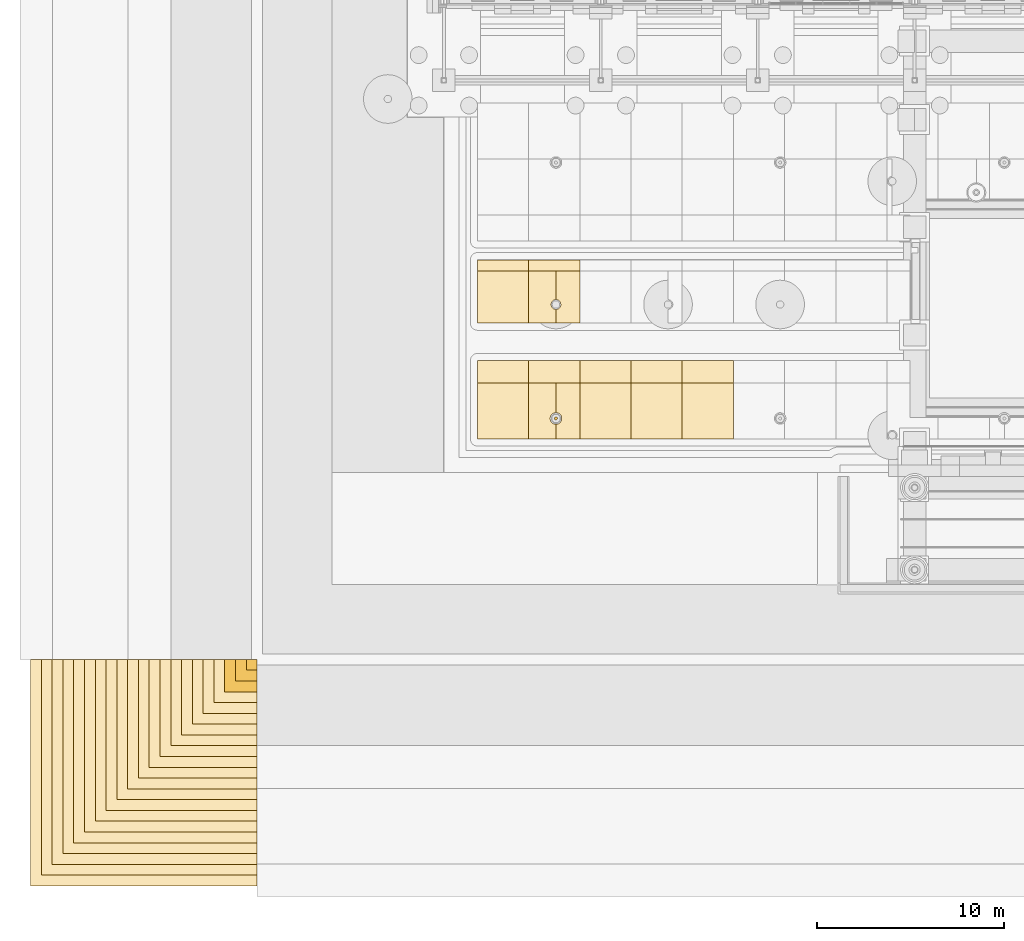
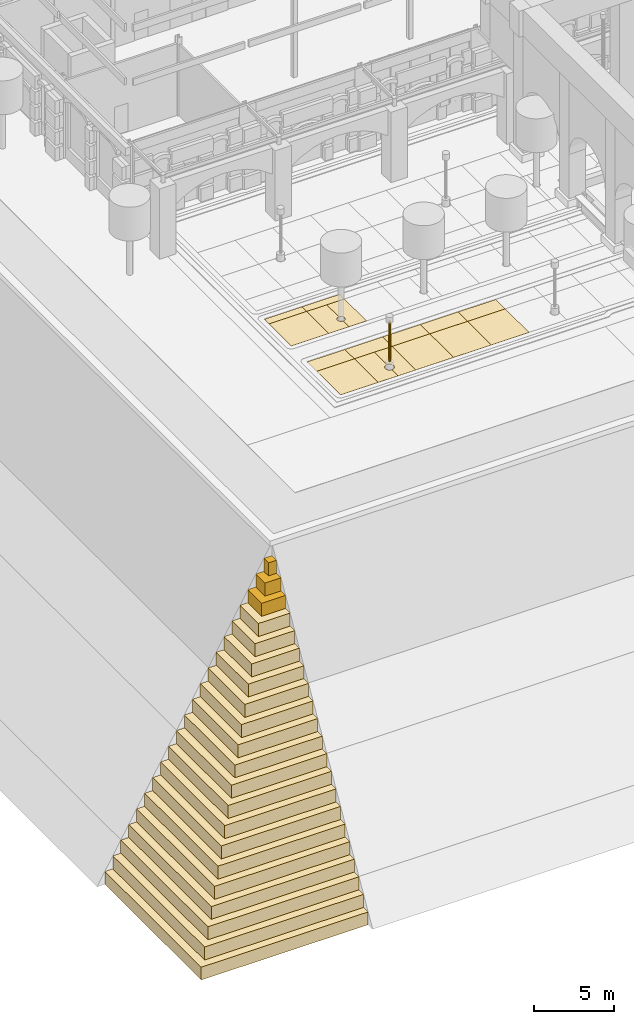
# One storey, part 108 of 222: 38 coverings.
"""IFC4 building model written with IfcOpenShell, lengths in metres."""

import ifcopenshell
import ifcopenshell.guid

model = None  # the IFC model being written
_history = None  # IfcOwnerHistory: only IFC2X3 demands one
_inside = {}  # id of a spatial element -> (the spatial element, [elements in it])
_under = {}  # id of a project, library or spatial element -> (it, [spatial elements below it])
_declared = {}  # id of a project -> (the project, [libraries it declares])
_typed = {}  # id of a type object -> (the type object, [elements of that type])
_made_of = {}  # id of a material, layer set ... -> (it, [elements and type objects made of it])


def new_model(schema):
    """Start an empty IFC model of exactly this schema.

    Asked for "IFC4X3", IfcOpenShell would pick the latest addendum, in which some entities
    have other attributes; the version numbers below select the first issue.
    IFC2X3 requires an IfcOwnerHistory on every rooted entity: one is made here for all.
    """
    global model, _history
    if schema == "IFC4X3":
        model = ifcopenshell.file(schema_version=(4, 3, 0, 0))
    else:
        model = ifcopenshell.file(schema=schema)
    _inside.clear()
    _under.clear()
    _declared.clear()
    _typed.clear()
    _made_of.clear()
    _history = None
    if model.schema == "IFC2X3":
        org = make("IfcOrganization", Name="unknown")
        user = make(
            "IfcPersonAndOrganization",
            ThePerson=make("IfcPerson", FamilyName="unknown"),
            TheOrganization=org,
        )
        app = make(
            "IfcApplication",
            ApplicationDeveloper=org,
            Version="unknown",
            ApplicationFullName="unknown",
            ApplicationIdentifier="unknown",
        )
        _history = make(
            "IfcOwnerHistory",
            OwningUser=user,
            OwningApplication=app,
            ChangeAction="ADDED",
            CreationDate=0,
        )
    return model


def make(cls, **values):
    """One entity of the class cls with the attributes given. An attribute that is None is left unset."""
    return model.create_entity(
        cls, **{name: value for name, value in values.items() if value is not None}
    )


def rooted(cls, **values):
    """An entity with a GlobalId (a new one), such as an element, a storey or a relation."""
    return make(cls, GlobalId=ifcopenshell.guid.new(), OwnerHistory=_history, **values)


def si_unit(unit_type, name, prefix=None):
    """IfcSIUnit, for example si_unit("LENGTHUNIT", "METRE", prefix="MILLI")."""
    return make("IfcSIUnit", UnitType=unit_type, Prefix=prefix, Name=name)


def assignment(units):
    """IfcUnitAssignment: the units of a project."""
    return None if units is None else make("IfcUnitAssignment", Units=units)


def point(xyz):
    """IfcCartesianPoint."""
    return None if xyz is None else make("IfcCartesianPoint", Coordinates=xyz)


def direction(xyz):
    """IfcDirection."""
    return None if xyz is None else make("IfcDirection", DirectionRatios=xyz)


def frame(location, z_axis=None, x_axis=None):
    """IfcAxis2Placement3D, a coordinate frame: its origin and axes. An axis left out is left unset."""
    return make(
        "IfcAxis2Placement3D",
        Location=point(location),
        Axis=direction(z_axis),
        RefDirection=direction(x_axis),
    )


def frame_2d(location, x_axis=None):
    """IfcAxis2Placement2D, a coordinate frame in the plane: its origin and x axis."""
    return make(
        "IfcAxis2Placement2D", Location=point(location), RefDirection=direction(x_axis)
    )


def origin():
    """The frame at (0, 0, 0) with its axes left unset."""
    return frame((0.0, 0.0, 0.0))


def origin_2d():
    """The frame at (0, 0) in the plane with its x axis left unset."""
    return frame_2d((0.0, 0.0))


def place(relative_to, where):
    """IfcLocalPlacement: puts the frame where relative to a parent placement (None: the world)."""
    return make(
        "IfcLocalPlacement", PlacementRelTo=relative_to, RelativePlacement=where
    )


def context(
    kind, dimensions, precision=None, world=None, true_north=None, identifier=None
):
    """IfcGeometricRepresentationContext, for example the 3D "Model" context."""
    return make(
        "IfcGeometricRepresentationContext",
        ContextIdentifier=identifier,
        ContextType=kind,
        CoordinateSpaceDimension=dimensions,
        Precision=precision,
        WorldCoordinateSystem=world,
        TrueNorth=true_north,
    )


def subcontext(parent, identifier, kind, view, scale=None):
    """IfcGeometricRepresentationSubContext, for example "Body" below "Model"."""
    return make(
        "IfcGeometricRepresentationSubContext",
        ContextIdentifier=identifier,
        ContextType=kind,
        ParentContext=parent,
        TargetScale=scale,
        TargetView=view,
    )


def project(units=None, contexts=None):
    """IfcProject with its units and contexts."""
    return rooted(
        "IfcProject",
        Name="project",
        RepresentationContexts=contexts,
        UnitsInContext=assignment(units),
    )


def spatial(cls, under=None, at=None, **own):
    """A site, building, storey or space (cls), placed at a placement, below another one or the project."""
    s = rooted(cls, ObjectPlacement=at, **own)
    if under is not None:
        _under.setdefault(under.id(), (under, []))[1].append(s)
    return s


def polyline(points):
    """IfcPolyline through the points."""
    return make("IfcPolyline", Points=[point(p) for p in points])


def profile(cls, at=None, kind="AREA", **sizes):
    """A parametric profile (cls). Its sizes go by their IFC names, for example OverallWidth=200.0."""
    return make(cls, ProfileType=kind, Position=at, **sizes)


def rectangle(**sizes):
    """IfcRectangleProfileDef."""
    return profile("IfcRectangleProfileDef", **sizes)


def circle(**sizes):
    """IfcCircleProfileDef."""
    return profile("IfcCircleProfileDef", **sizes)


def outline(outer, holes=None, kind="AREA"):
    """IfcArbitraryClosedProfileDef: a profile drawn as a closed curve; with holes, ...WithVoids."""
    if holes is None:
        return make("IfcArbitraryClosedProfileDef", ProfileType=kind, OuterCurve=outer)
    return make(
        "IfcArbitraryProfileDefWithVoids",
        ProfileType=kind,
        OuterCurve=outer,
        InnerCurves=holes,
    )


def extrude(swept, where, along, depth):
    """IfcExtrudedAreaSolid: the profile swept, set in the frame where, extruded along a direction by depth."""
    return make(
        "IfcExtrudedAreaSolid",
        SweptArea=swept,
        Position=where,
        ExtrudedDirection=direction(along),
        Depth=depth,
    )


def shape(context_of_items, identifier, shape_type, items):
    """IfcShapeRepresentation: the items that make up one representation, for example the "Body"."""
    return make(
        "IfcShapeRepresentation",
        ContextOfItems=context_of_items,
        RepresentationIdentifier=identifier,
        RepresentationType=shape_type,
        Items=items,
    )


def material(Name=None, Category=None):
    """IfcMaterial."""
    return make("IfcMaterial", Name=Name, Category=Category)


def layer(
    of_material, thickness, ventilated=None, Name=None, Category=None, Priority=None
):
    """IfcMaterialLayer: one layer of a wall or slab, of a material (None: an air gap)."""
    return make(
        "IfcMaterialLayer",
        Material=of_material,
        LayerThickness=thickness,
        IsVentilated=ventilated,
        Name=Name,
        Category=Category,
        Priority=Priority,
    )


def layer_set(layers, Name=None):
    """IfcMaterialLayerSet."""
    return make("IfcMaterialLayerSet", MaterialLayers=layers, LayerSetName=Name)


def made_of(thing, what):
    """Note that an element or type object is made of a material, layer set ...; save() writes the relation."""
    if what is not None:
        _made_of.setdefault(what.id(), (what, []))[1].append(thing)
    return thing


def type_object(cls, material=None, **own):
    """A type object (cls), such as IfcWallType, which elements share."""
    return made_of(rooted(cls, **own), material)


def element(
    cls,
    number,
    at=None,
    inside=None,
    cuts=None,
    type_object=None,
    material=None,
    context=None,
    identifier="Body",
    shape_type=None,
    held_by="IfcProductDefinitionShape",
    body=None,
    shapes=None,
    **own,
):
    """One element of the class cls, such as IfcWall. Its Tag is "e" and its number.

    at: its placement. inside: the storey or other place that contains it. cuts: it is an
    opening in that element (IfcRelVoidsElement). A single representation is given by context,
    identifier, shape_type and body (its items); several are given by shapes. held_by: the class
    of the entity that holds the representations. save() writes the other relations.
    """
    e = rooted(cls, Tag="e%d" % number, ObjectPlacement=at, **own)
    if body is not None:
        shapes = [shape(context, identifier, shape_type, body)]
    if shapes is not None:
        e.Representation = make(held_by, Representations=shapes)
    if inside is not None:
        _inside.setdefault(inside.id(), (inside, []))[1].append(e)
    if cuts is not None:
        rooted(
            "IfcRelVoidsElement", RelatingBuildingElement=cuts, RelatedOpeningElement=e
        )
    if type_object is not None:
        _typed.setdefault(type_object.id(), (type_object, []))[1].append(e)
    return made_of(e, material)


def aggregate(whole, parts):
    """IfcRelAggregates: a whole, such as a stair, and the parts it consists of."""
    return rooted("IfcRelAggregates", RelatingObject=whole, RelatedObjects=parts)


def save(model, path):
    """Write the relations noted so far, then the file.

    IfcRelAggregates (storeys below a building ...), IfcRelContainedInSpatialStructure (elements
    in a storey), IfcRelDefinesByType, IfcRelAssociatesMaterial and IfcRelDeclares: one each for
    every whole, place, type object, material and project.
    """
    for whole, parts in _under.values():
        aggregate(whole, parts)
    for where, things in _inside.values():
        rooted(
            "IfcRelContainedInSpatialStructure",
            RelatedElements=things,
            RelatingStructure=where,
        )
    for kind, things in _typed.values():
        rooted("IfcRelDefinesByType", RelatedObjects=things, RelatingType=kind)
    for what, things in _made_of.values():
        rooted("IfcRelAssociatesMaterial", RelatedObjects=things, RelatingMaterial=what)
    for by, libraries in _declared.values():
        rooted("IfcRelDeclares", RelatingContext=by, RelatedDefinitions=libraries)
    model.write(path)


model = new_model("IFC4")

# Units and contexts
model_context = context("Model", 3, precision=1e-05, world=origin(), true_north=direction((0.0, 1.0)))
body_context = subcontext(model_context, "Body", "Model", "MODEL_VIEW")
ifc_project = project(units=[si_unit("LENGTHUNIT", "METRE"), si_unit("AREAUNIT", "SQUARE_METRE"), si_unit("VOLUMEUNIT", "CUBIC_METRE"), si_unit("PLANEANGLEUNIT", "RADIAN"), si_unit("MASSUNIT", "GRAM", prefix="KILO")], contexts=[model_context])

# Site, building, storey
site_placement = place(None, origin())
site = spatial("IfcSite", under=ifc_project, at=site_placement, CompositionType="ELEMENT")
building_placement = place(site_placement, origin())
building = spatial("IfcBuilding", under=site, at=building_placement, Name="Sava Quay Ferry Terminal", CompositionType="ELEMENT")
storey_placement = place(building_placement, origin())
storey = spatial("IfcBuildingStorey", under=building, at=storey_placement, Name="L00", CompositionType="ELEMENT", Elevation=0.0)

# Coverings
ifc_material_1 = material(Name="Limestone Mutalj", Category="masonry")
ifc_layer_1 = layer(ifc_material_1, 0.030029296875)
ifc_layer_set_1 = layer_set([ifc_layer_1], Name="Limestone Mutalj")
covering_type_1 = type_object("IfcCoveringType", Name="Court paving tile 30", PredefinedType="FLOORING", material=ifc_layer_set_1)
covering_1_placement = place(storey_placement, origin())
element("IfcCovering", 1, at=covering_1_placement, inside=storey, type_object=covering_type_1, Name="Limestone paving tile", PredefinedType="FLOORING", context=body_context, shape_type="SweptSolid", body=[
    extrude(outline(polyline([(4.5400390625, 4.800048828125), (1.81005859375, 4.800048828125), (1.81005859375, 1.81005859375), (4.5400390625, 1.81005859375), (4.5400390625, 4.800048828125)])), origin(), (0.0, 0.0, 1.0), 0.030029296875),
])
covering_2_placement = place(storey_placement, origin())
element("IfcCovering", 2, at=covering_2_placement, inside=storey, type_object=covering_type_1, Name="Limestone paving tile", PredefinedType="FLOORING", context=body_context, shape_type="SweptSolid", body=[
    extrude(outline(polyline([(4.5400390625, 10.800048828125), (1.81005859375, 10.800048828125), (1.81005859375, 8.010009765625), (4.5400390625, 8.010009765625), (4.5400390625, 10.800048828125)])), origin(), (0.0, 0.0, 1.0), 0.030029296875),
])
covering_3_placement = place(storey_placement, origin())
element("IfcCovering", 3, at=covering_3_placement, inside=storey, type_object=covering_type_1, Name="Limestone paving tile", PredefinedType="FLOORING", context=body_context, shape_type="SweptSolid", body=[
    extrude(outline(polyline([(7.280029296875, 4.800048828125), (7.280029296875, 5.989990234375), (4.5400390625, 5.989990234375), (4.5400390625, 4.800048828125), (7.280029296875, 4.800048828125)])), origin(), (0.0, 0.0, 1.0), 0.030029296875),
])
covering_4_placement = place(storey_placement, origin())
element("IfcCovering", 4, at=covering_4_placement, inside=storey, type_object=covering_type_1, Name="Limestone paving tile", PredefinedType="FLOORING", context=body_context, shape_type="SweptSolid", body=[
    extrude(outline(polyline([(7.280029296875, 10.800048828125), (7.280029296875, 11.389892578125), (4.5400390625, 11.389892578125), (4.5400390625, 10.800048828125), (7.280029296875, 10.800048828125)])), origin(), (0.0, 0.0, 1.0), 0.030029296875),
])
covering_5_placement = place(storey_placement, origin())
element("IfcCovering", 5, at=covering_5_placement, inside=storey, type_object=covering_type_1, Name="Limestone paving tile", PredefinedType="FLOORING", context=body_context, shape_type="SweptSolid", body=[
    extrude(outline(polyline([(7.280029296875, 4.800048828125), (7.280029296875, 1.81005859375), (10.02001953125, 1.81005859375), (10.02001953125, 4.800048828125), (7.280029296875, 4.800048828125)])), origin(), (0.0, 0.0, 1.0), 0.030029296875),
])
covering_6_placement = place(storey_placement, origin())
element("IfcCovering", 6, at=covering_6_placement, inside=storey, type_object=covering_type_1, Name="Limestone paving tile", PredefinedType="FLOORING", context=body_context, shape_type="SweptSolid", body=[
    extrude(outline(polyline([(12.760009765625, 4.800048828125), (12.760009765625, 5.989990234375), (10.02001953125, 5.989990234375), (10.02001953125, 4.800048828125), (12.760009765625, 4.800048828125)])), origin(), (0.0, 0.0, 1.0), 0.030029296875),
])
covering_7_placement = place(storey_placement, origin())
element("IfcCovering", 7, at=covering_7_placement, inside=storey, type_object=covering_type_1, Name="Limestone paving tile", PredefinedType="FLOORING", context=body_context, shape_type="SweptSolid", body=[
    extrude(outline(polyline([(12.760009765625, 4.800048828125), (12.760009765625, 1.81005859375), (15.5, 1.81005859375), (15.5, 4.800048828125), (12.760009765625, 4.800048828125)])), origin(), (0.0, 0.0, 1.0), 0.030029296875),
])
ifc_material_2 = material(Name="Red sandstone Vrsac", Category="masonry")
ifc_layer_2 = layer(ifc_material_2, 0.030029296875)
ifc_layer_set_2 = layer_set([ifc_layer_2], Name="Red sandstone Vrsac")
covering_type_2 = type_object("IfcCoveringType", Name="Court paving tile sandstone 30", PredefinedType="FLOORING", material=ifc_layer_set_2)
covering_8_placement = place(storey_placement, origin())
element("IfcCovering", 8, at=covering_8_placement, inside=storey, type_object=covering_type_2, Name="Sandstone paving tile", PredefinedType="FLOORING", context=body_context, shape_type="SweptSolid", body=[
    extrude(outline(polyline([(4.5400390625, 4.800048828125), (4.5400390625, 5.989990234375), (1.81005859375, 5.989990234375), (1.81005859375, 4.800048828125), (4.5400390625, 4.800048828125)])), origin(), (0.0, 0.0, 1.0), 0.030029296875),
])
covering_9_placement = place(storey_placement, origin())
element("IfcCovering", 9, at=covering_9_placement, inside=storey, type_object=covering_type_2, Name="Sandstone paving tile", PredefinedType="FLOORING", context=body_context, shape_type="SweptSolid", body=[
    extrude(outline(polyline([(4.5400390625, 10.800048828125), (4.5400390625, 11.389892578125), (1.81005859375, 11.389892578125), (1.81005859375, 10.800048828125), (4.5400390625, 10.800048828125)])), origin(), (0.0, 0.0, 1.0), 0.030029296875),
])
covering_10_placement = place(storey_placement, origin())
element("IfcCovering", 10, at=covering_10_placement, inside=storey, type_object=covering_type_2, Name="Sandstone paving tile", PredefinedType="FLOORING", context=body_context, shape_type="SweptSolid", body=[
    extrude(outline(polyline([(6.0, 4.800048828125), (4.5400390625, 4.800048828125), (4.5400390625, 1.81005859375), (6.0, 1.81005859375), (6.0, 2.590087890625), (5.968994140625, 2.592041015625), (5.93896484375, 2.595947265625), (5.909912109375, 2.60400390625), (5.881103515625, 2.614013671875), (5.85302734375, 2.626953125), (5.826904296875, 2.64306640625), (5.802978515625, 2.660888671875), (5.780029296875, 2.680908203125), (5.760009765625, 2.7041015625), (5.741943359375, 2.72802734375), (5.72607421875, 2.75390625), (5.712890625, 2.781982421875), (5.702880859375, 2.81005859375), (5.696044921875, 2.840087890625), (5.69091796875, 2.8701171875), (5.68994140625, 2.89990234375), (5.69189453125, 2.930908203125), (5.696044921875, 2.9609375), (5.7041015625, 2.989990234375), (5.714111328125, 3.01904296875), (5.72705078125, 3.047119140625), (5.742919921875, 3.072998046875), (5.760986328125, 3.096923828125), (5.781005859375, 3.1201171875), (5.803955078125, 3.139892578125), (5.827880859375, 3.157958984375), (5.85400390625, 3.174072265625), (5.882080078125, 3.18701171875), (5.909912109375, 3.197021484375), (5.93994140625, 3.2041015625), (5.969970703125, 3.208984375), (6.0, 3.2099609375), (6.0, 4.800048828125)])), origin(), (0.0, 0.0, 1.0), 0.030029296875),
])
covering_11_placement = place(storey_placement, origin())
element("IfcCovering", 11, at=covering_11_placement, inside=storey, type_object=covering_type_2, Name="Sandstone paving tile", PredefinedType="FLOORING", context=body_context, shape_type="SweptSolid", body=[
    extrude(outline(polyline([(7.280029296875, 4.800048828125), (6.0, 4.800048828125), (6.0, 3.2099609375), (6.031005859375, 3.2080078125), (6.06103515625, 3.2041015625), (6.090087890625, 3.196044921875), (6.118896484375, 3.18603515625), (6.14697265625, 3.173095703125), (6.173095703125, 3.156982421875), (6.197021484375, 3.138916015625), (6.219970703125, 3.118896484375), (6.239990234375, 3.095947265625), (6.258056640625, 3.072021484375), (6.27392578125, 3.0458984375), (6.287109375, 3.01806640625), (6.297119140625, 2.989990234375), (6.303955078125, 2.9599609375), (6.30908203125, 2.929931640625), (6.31005859375, 2.89990234375), (6.30810546875, 2.868896484375), (6.303955078125, 2.839111328125), (6.2958984375, 2.81005859375), (6.285888671875, 2.781005859375), (6.27294921875, 2.7529296875), (6.257080078125, 2.72705078125), (6.239013671875, 2.702880859375), (6.218994140625, 2.679931640625), (6.196044921875, 2.659912109375), (6.172119140625, 2.64208984375), (6.14599609375, 2.6259765625), (6.117919921875, 2.613037109375), (6.090087890625, 2.60302734375), (6.06005859375, 2.595947265625), (6.030029296875, 2.591064453125), (6.0, 2.590087890625), (6.0, 1.81005859375), (7.280029296875, 1.81005859375), (7.280029296875, 4.800048828125)])), origin(), (0.0, 0.0, 1.0), 0.030029296875),
])
covering_12_placement = place(storey_placement, origin())
element("IfcCovering", 12, at=covering_12_placement, inside=storey, type_object=covering_type_2, Name="Sandstone paving tile", PredefinedType="FLOORING", context=body_context, shape_type="SweptSolid", body=[
    extrude(outline(polyline([(6.0, 10.800048828125), (4.5400390625, 10.800048828125), (4.5400390625, 8.010009765625), (6.0, 8.010009765625), (6.0, 8.739990234375), (5.97412109375, 8.740966796875), (5.948974609375, 8.7451171875), (5.924072265625, 8.7509765625), (5.89990234375, 8.760009765625), (5.876953125, 8.77099609375), (5.85498046875, 8.783935546875), (5.8349609375, 8.799072265625), (5.81591796875, 8.81689453125), (5.799072265625, 8.8349609375), (5.783935546875, 8.85595703125), (5.77001953125, 8.8779296875), (5.760009765625, 8.90087890625), (5.7509765625, 8.925048828125), (5.7451171875, 8.949951171875), (5.740966796875, 8.97509765625), (5.739990234375, 9.0), (5.740966796875, 9.02587890625), (5.7451171875, 9.051025390625), (5.7509765625, 9.075927734375), (5.760009765625, 9.10009765625), (5.77099609375, 9.123046875), (5.783935546875, 9.14501953125), (5.799072265625, 9.1650390625), (5.81689453125, 9.18408203125), (5.8349609375, 9.200927734375), (5.85595703125, 9.216064453125), (5.8779296875, 9.22998046875), (5.90087890625, 9.239990234375), (5.925048828125, 9.2490234375), (5.949951171875, 9.2548828125), (5.97509765625, 9.259033203125), (6.0, 9.260009765625), (6.0, 10.800048828125)])), origin(), (0.0, 0.0, 1.0), 0.030029296875),
])
covering_13_placement = place(storey_placement, origin())
element("IfcCovering", 13, at=covering_13_placement, inside=storey, type_object=covering_type_2, Name="Sandstone paving tile", PredefinedType="FLOORING", context=body_context, shape_type="SweptSolid", body=[
    extrude(outline(polyline([(7.280029296875, 10.800048828125), (6.0, 10.800048828125), (6.0, 9.260009765625), (6.02587890625, 9.259033203125), (6.051025390625, 9.2548828125), (6.075927734375, 9.2490234375), (6.10009765625, 9.239990234375), (6.123046875, 9.22900390625), (6.14501953125, 9.216064453125), (6.1650390625, 9.200927734375), (6.18408203125, 9.18310546875), (6.200927734375, 9.1650390625), (6.216064453125, 9.14404296875), (6.22998046875, 9.1220703125), (6.239990234375, 9.09912109375), (6.2490234375, 9.074951171875), (6.2548828125, 9.050048828125), (6.259033203125, 9.02490234375), (6.260009765625, 9.0), (6.259033203125, 8.97412109375), (6.2548828125, 8.948974609375), (6.2490234375, 8.924072265625), (6.239990234375, 8.89990234375), (6.22900390625, 8.876953125), (6.216064453125, 8.85498046875), (6.200927734375, 8.8349609375), (6.18310546875, 8.81591796875), (6.1650390625, 8.799072265625), (6.14404296875, 8.783935546875), (6.1220703125, 8.77001953125), (6.09912109375, 8.760009765625), (6.074951171875, 8.7509765625), (6.050048828125, 8.7451171875), (6.02490234375, 8.740966796875), (6.0, 8.739990234375), (6.0, 8.010009765625), (7.280029296875, 8.010009765625), (7.280029296875, 10.800048828125)])), origin(), (0.0, 0.0, 1.0), 0.030029296875),
])
covering_14_placement = place(storey_placement, origin())
element("IfcCovering", 14, at=covering_14_placement, inside=storey, type_object=covering_type_2, Name="Sandstone paving tile", PredefinedType="FLOORING", context=body_context, shape_type="SweptSolid", body=[
    extrude(outline(polyline([(10.02001953125, 4.800048828125), (10.02001953125, 5.989990234375), (7.280029296875, 5.989990234375), (7.280029296875, 4.800048828125), (10.02001953125, 4.800048828125)])), origin(), (0.0, 0.0, 1.0), 0.030029296875),
])
covering_15_placement = place(storey_placement, origin())
element("IfcCovering", 15, at=covering_15_placement, inside=storey, type_object=covering_type_2, Name="Sandstone paving tile", PredefinedType="FLOORING", context=body_context, shape_type="SweptSolid", body=[
    extrude(outline(polyline([(10.02001953125, 4.800048828125), (10.02001953125, 1.81005859375), (12.760009765625, 1.81005859375), (12.760009765625, 4.800048828125), (10.02001953125, 4.800048828125)])), origin(), (0.0, 0.0, 1.0), 0.030029296875),
])
covering_16_placement = place(storey_placement, origin())
element("IfcCovering", 16, at=covering_16_placement, inside=storey, type_object=covering_type_2, Name="Sandstone paving tile", PredefinedType="FLOORING", context=body_context, shape_type="SweptSolid", body=[
    extrude(outline(polyline([(15.5, 4.800048828125), (15.5, 5.989990234375), (12.760009765625, 5.989990234375), (12.760009765625, 4.800048828125), (15.5, 4.800048828125)])), origin(), (0.0, 0.0, 1.0), 0.030029296875),
])
ifc_material_3 = material(Name="Steel S355", Category="steel")
ifc_layer_3 = layer(ifc_material_3, 0.159912109375)
ifc_layer_set_3 = layer_set([ifc_layer_3], Name="Steel S355")
covering_type_3 = type_object("IfcCoveringType", Name="Lamp standard column 160", PredefinedType="CLADDING", material=ifc_layer_set_3)
covering_17_placement = place(storey_placement, frame((6.0, 2.89990234375, 3.550048828125), z_axis=(0.0, 0.0, -1.0), x_axis=(1.0, 0.0, 0.0)))
element("IfcCovering", 17, at=covering_17_placement, inside=storey, type_object=covering_type_3, Name="Lamp standard column", PredefinedType="CLADDING", context=body_context, shape_type="SweptSolid", body=[
    extrude(circle(Radius=0.080078125, at=origin_2d()), origin(), (0.0, 0.0, 1.0), 3.050048828125),
])
ifc_material_4 = material(Name="Compacted gravel fill")
ifc_layer_4 = layer(ifc_material_4, 7.97998046875)
ifc_layer_set_4 = layer_set([ifc_layer_4], Name="Compacted gravel fill")
covering_type_4 = type_object("IfcCoveringType", Name="Made ground at quay level", PredefinedType="CLADDING", material=ifc_layer_set_4)
covering_18_placement = place(storey_placement, frame((-10.288818359375, -10.288818359375, -2.02001953125), z_axis=(0.0, 0.0, 1.0), x_axis=(1.0, 0.0, 0.0)))
element("IfcCovering", 18, at=covering_18_placement, inside=storey, type_object=covering_type_4, Name="Made ground at quay level", PredefinedType="CLADDING", context=body_context, shape_type="SweptSolid", body=[
    extrude(rectangle(XDim=0.577392578125, YDim=0.577392578125, at=origin_2d()), origin(), (0.0, 0.0, 1.0), 1.0),
])
covering_19_placement = place(storey_placement, frame((-10.577392578125, -10.577392578125, -3.02001953125), z_axis=(0.0, 0.0, 1.0), x_axis=(1.0, 0.0, 0.0)))
element("IfcCovering", 19, at=covering_19_placement, inside=storey, type_object=covering_type_4, Name="Made ground at quay level", PredefinedType="CLADDING", context=body_context, shape_type="SweptSolid", body=[
    extrude(rectangle(XDim=1.15478515625, YDim=1.15478515625, at=origin_2d()), origin(), (0.0, 0.0, 1.0), 1.0),
])
covering_20_placement = place(storey_placement, frame((-10.865966796875, -10.865966796875, -4.02001953125), z_axis=(0.0, 0.0, 1.0), x_axis=(1.0, 0.0, 0.0)))
element("IfcCovering", 20, at=covering_20_placement, inside=storey, type_object=covering_type_4, Name="Made ground at quay level", PredefinedType="CLADDING", context=body_context, shape_type="SweptSolid", body=[
    extrude(rectangle(XDim=1.732177734375, YDim=1.732177734375, at=origin_2d()), origin(), (0.0, 0.0, 1.0), 1.0),
])
covering_21_placement = place(storey_placement, frame((-11.15478515625, -11.15478515625, -5.02001953125), z_axis=(0.0, 0.0, 1.0), x_axis=(1.0, 0.0, 0.0)))
element("IfcCovering", 21, at=covering_21_placement, inside=storey, type_object=covering_type_4, Name="Made ground at quay level", PredefinedType="CLADDING", context=body_context, shape_type="SweptSolid", body=[
    extrude(rectangle(XDim=2.309326171875, YDim=2.309326171875, at=origin_2d()), origin(), (0.0, 0.0, 1.0), 1.0),
])
covering_22_placement = place(storey_placement, frame((-11.443359375, -11.443359375, -6.02001953125), z_axis=(0.0, 0.0, 1.0), x_axis=(1.0, 0.0, 0.0)))
element("IfcCovering", 22, at=covering_22_placement, inside=storey, type_object=covering_type_4, Name="Made ground at quay level", PredefinedType="CLADDING", context=body_context, shape_type="SweptSolid", body=[
    extrude(rectangle(XDim=2.88671875, YDim=2.88671875, at=origin_2d()), origin(), (0.0, 0.0, 1.0), 1.0),
])
covering_23_placement = place(storey_placement, frame((-11.732177734375, -11.732177734375, -7.02001953125), z_axis=(0.0, 0.0, 1.0), x_axis=(1.0, 0.0, 0.0)))
element("IfcCovering", 23, at=covering_23_placement, inside=storey, type_object=covering_type_4, Name="Made ground at quay level", PredefinedType="CLADDING", context=body_context, shape_type="SweptSolid", body=[
    extrude(rectangle(XDim=3.464111328125, YDim=3.464111328125, at=origin_2d()), origin(), (0.0, 0.0, 1.0), 1.0),
])
covering_24_placement = place(storey_placement, frame((-12.020751953125, -12.020751953125, -8.0), z_axis=(0.0, 0.0, 1.0), x_axis=(1.0, 0.0, 0.0)))
element("IfcCovering", 24, at=covering_24_placement, inside=storey, type_object=covering_type_4, Name="Made ground at quay level", PredefinedType="CLADDING", context=body_context, shape_type="SweptSolid", body=[
    extrude(rectangle(XDim=4.04150390625, YDim=4.04150390625, at=origin_2d()), origin(), (0.0, 0.0, 1.0), 0.97998046875),
])
ifc_material_5 = material(Name="Marl")
ifc_layer_5 = layer(ifc_material_5, 3.0)
ifc_layer_set_5 = layer_set([ifc_layer_5], Name="Marl")
covering_type_5 = type_object("IfcCoveringType", Name="Marl", PredefinedType="CLADDING", material=ifc_layer_set_5)
covering_25_placement = place(storey_placement, frame((-15.48486328125, -15.48486328125, -20.02001953125), z_axis=(0.0, 0.0, 1.0), x_axis=(1.0, 0.0, 0.0)))
element("IfcCovering", 25, at=covering_25_placement, inside=storey, type_object=covering_type_5, Name="Marl", PredefinedType="CLADDING", context=body_context, shape_type="SweptSolid", body=[
    extrude(rectangle(XDim=10.9697265625, YDim=10.9697265625, at=origin_2d()), origin(), (0.0, 0.0, 1.0), 1.0),
])
covering_26_placement = place(storey_placement, frame((-15.7734375, -15.7734375, -21.02001953125), z_axis=(0.0, 0.0, 1.0), x_axis=(1.0, 0.0, 0.0)))
element("IfcCovering", 26, at=covering_26_placement, inside=storey, type_object=covering_type_5, Name="Marl", PredefinedType="CLADDING", context=body_context, shape_type="SweptSolid", body=[
    extrude(rectangle(XDim=11.547119140625, YDim=11.547119140625, at=origin_2d()), origin(), (0.0, 0.0, 1.0), 1.0),
])
covering_27_placement = place(storey_placement, frame((-16.062255859375, -16.062255859375, -22.0), z_axis=(0.0, 0.0, 1.0), x_axis=(1.0, 0.0, 0.0)))
element("IfcCovering", 27, at=covering_27_placement, inside=storey, type_object=covering_type_5, Name="Marl", PredefinedType="CLADDING", context=body_context, shape_type="SweptSolid", body=[
    extrude(rectangle(XDim=12.12451171875, YDim=12.12451171875, at=origin_2d()), origin(), (0.0, 0.0, 1.0), 0.97998046875),
])
ifc_material_6 = material(Name="Sand and gravel")
ifc_layer_6 = layer(ifc_material_6, 7.0)
ifc_layer_set_6 = layer_set([ifc_layer_6], Name="Sand and gravel")
covering_type_6 = type_object("IfcCoveringType", Name="Sand and gravel", PredefinedType="CLADDING", material=ifc_layer_set_6)
covering_28_placement = place(storey_placement, frame((-13.464111328125, -13.464111328125, -13.02001953125), z_axis=(0.0, 0.0, 1.0), x_axis=(1.0, 0.0, 0.0)))
element("IfcCovering", 28, at=covering_28_placement, inside=storey, type_object=covering_type_6, Name="Sand and gravel", PredefinedType="CLADDING", context=body_context, shape_type="SweptSolid", body=[
    extrude(rectangle(XDim=6.92822265625, YDim=6.92822265625, at=origin_2d()), origin(), (0.0, 0.0, 1.0), 1.0),
])
covering_29_placement = place(storey_placement, frame((-13.752685546875, -13.752685546875, -14.02001953125), z_axis=(0.0, 0.0, 1.0), x_axis=(1.0, 0.0, 0.0)))
element("IfcCovering", 29, at=covering_29_placement, inside=storey, type_object=covering_type_6, Name="Sand and gravel", PredefinedType="CLADDING", context=body_context, shape_type="SweptSolid", body=[
    extrude(rectangle(XDim=7.505615234375, YDim=7.505615234375, at=origin_2d()), origin(), (0.0, 0.0, 1.0), 1.0),
])
covering_30_placement = place(storey_placement, frame((-14.04150390625, -14.04150390625, -15.02001953125), z_axis=(0.0, 0.0, 1.0), x_axis=(1.0, 0.0, 0.0)))
element("IfcCovering", 30, at=covering_30_placement, inside=storey, type_object=covering_type_6, Name="Sand and gravel", PredefinedType="CLADDING", context=body_context, shape_type="SweptSolid", body=[
    extrude(rectangle(XDim=8.0830078125, YDim=8.0830078125, at=origin_2d()), origin(), (0.0, 0.0, 1.0), 1.0),
])
covering_31_placement = place(storey_placement, frame((-14.330078125, -14.330078125, -16.02001953125), z_axis=(0.0, 0.0, 1.0), x_axis=(1.0, 0.0, 0.0)))
element("IfcCovering", 31, at=covering_31_placement, inside=storey, type_object=covering_type_6, Name="Sand and gravel", PredefinedType="CLADDING", context=body_context, shape_type="SweptSolid", body=[
    extrude(rectangle(XDim=8.660400390625, YDim=8.660400390625, at=origin_2d()), origin(), (0.0, 0.0, 1.0), 1.0),
])
covering_32_placement = place(storey_placement, frame((-14.618896484375, -14.618896484375, -17.02001953125), z_axis=(0.0, 0.0, 1.0), x_axis=(1.0, 0.0, 0.0)))
element("IfcCovering", 32, at=covering_32_placement, inside=storey, type_object=covering_type_6, Name="Sand and gravel", PredefinedType="CLADDING", context=body_context, shape_type="SweptSolid", body=[
    extrude(rectangle(XDim=9.237548828125, YDim=9.237548828125, at=origin_2d()), origin(), (0.0, 0.0, 1.0), 1.0),
])
covering_33_placement = place(storey_placement, frame((-14.907470703125, -14.907470703125, -18.02001953125), z_axis=(0.0, 0.0, 1.0), x_axis=(1.0, 0.0, 0.0)))
element("IfcCovering", 33, at=covering_33_placement, inside=storey, type_object=covering_type_6, Name="Sand and gravel", PredefinedType="CLADDING", context=body_context, shape_type="SweptSolid", body=[
    extrude(rectangle(XDim=9.81494140625, YDim=9.81494140625, at=origin_2d()), origin(), (0.0, 0.0, 1.0), 1.0),
])
covering_34_placement = place(storey_placement, frame((-15.1962890625, -15.1962890625, -19.0), z_axis=(0.0, 0.0, 1.0), x_axis=(1.0, 0.0, 0.0)))
element("IfcCovering", 34, at=covering_34_placement, inside=storey, type_object=covering_type_6, Name="Sand and gravel", PredefinedType="CLADDING", context=body_context, shape_type="SweptSolid", body=[
    extrude(rectangle(XDim=10.392333984375, YDim=10.392333984375, at=origin_2d()), origin(), (0.0, 0.0, 1.0), 0.97998046875),
])
ifc_material_7 = material(Name="Silty and sandy clay")
ifc_layer_7 = layer(ifc_material_7, 4.0)
ifc_layer_set_7 = layer_set([ifc_layer_7], Name="Silty and sandy clay")
covering_type_7 = type_object("IfcCoveringType", Name="Silty and sandy clay", PredefinedType="CLADDING", material=ifc_layer_set_7)
covering_35_placement = place(storey_placement, frame((-12.309326171875, -12.309326171875, -9.02001953125), z_axis=(0.0, 0.0, 1.0), x_axis=(1.0, 0.0, 0.0)))
element("IfcCovering", 35, at=covering_35_placement, inside=storey, type_object=covering_type_7, Name="Silty and sandy clay", PredefinedType="CLADDING", context=body_context, shape_type="SweptSolid", body=[
    extrude(rectangle(XDim=4.618896484375, YDim=4.618896484375, at=origin_2d()), origin(), (0.0, 0.0, 1.0), 1.0),
])
covering_36_placement = place(storey_placement, frame((-12.59814453125, -12.59814453125, -10.02001953125), z_axis=(0.0, 0.0, 1.0), x_axis=(1.0, 0.0, 0.0)))
element("IfcCovering", 36, at=covering_36_placement, inside=storey, type_object=covering_type_7, Name="Silty and sandy clay", PredefinedType="CLADDING", context=body_context, shape_type="SweptSolid", body=[
    extrude(rectangle(XDim=5.1962890625, YDim=5.1962890625, at=origin_2d()), origin(), (0.0, 0.0, 1.0), 1.0),
])
covering_37_placement = place(storey_placement, frame((-12.88671875, -12.88671875, -11.02001953125), z_axis=(0.0, 0.0, 1.0), x_axis=(1.0, 0.0, 0.0)))
element("IfcCovering", 37, at=covering_37_placement, inside=storey, type_object=covering_type_7, Name="Silty and sandy clay", PredefinedType="CLADDING", context=body_context, shape_type="SweptSolid", body=[
    extrude(rectangle(XDim=5.7734375, YDim=5.7734375, at=origin_2d()), origin(), (0.0, 0.0, 1.0), 1.0),
])
covering_38_placement = place(storey_placement, frame((-13.17529296875, -13.17529296875, -12.0), z_axis=(0.0, 0.0, 1.0), x_axis=(1.0, 0.0, 0.0)))
element("IfcCovering", 38, at=covering_38_placement, inside=storey, type_object=covering_type_7, Name="Silty and sandy clay", PredefinedType="CLADDING", context=body_context, shape_type="SweptSolid", body=[
    extrude(rectangle(XDim=6.350830078125, YDim=6.350830078125, at=origin_2d()), origin(), (0.0, 0.0, 1.0), 0.97998046875),
])

save(model, "model.ifc")
